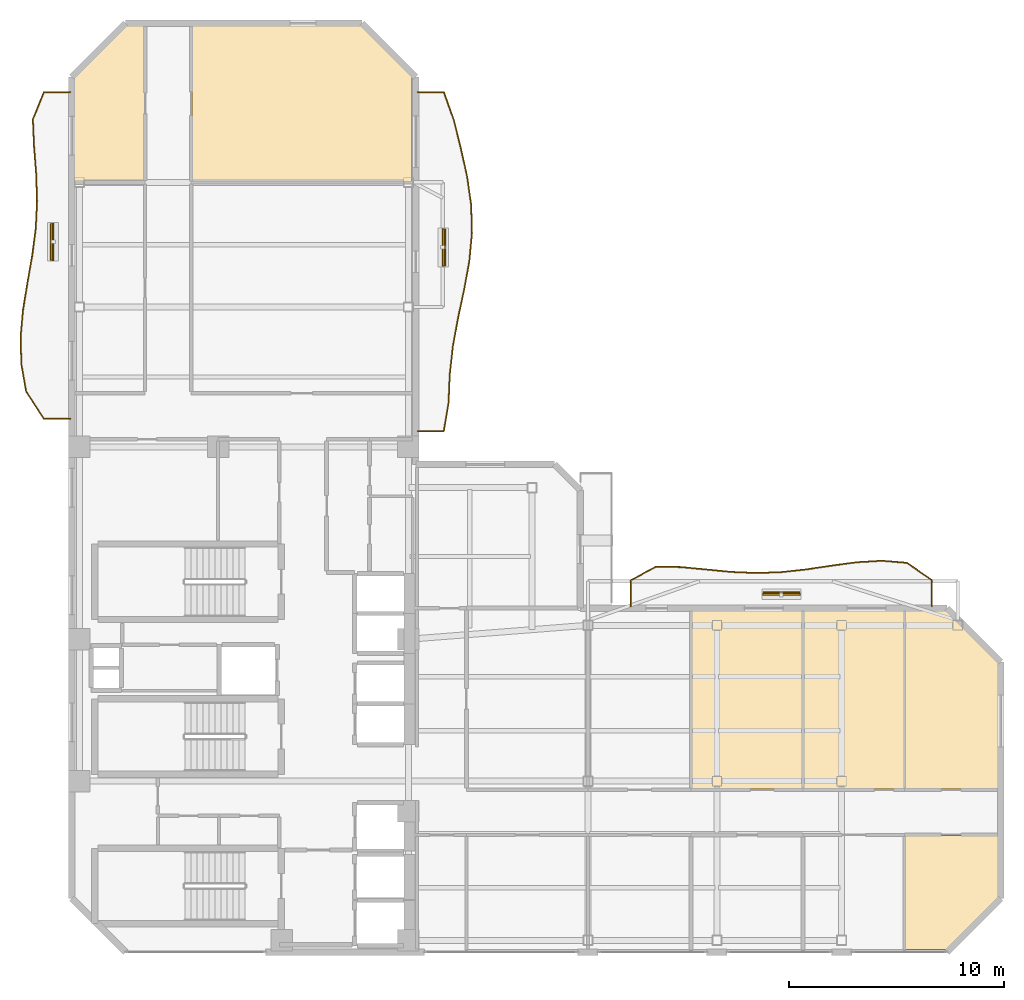
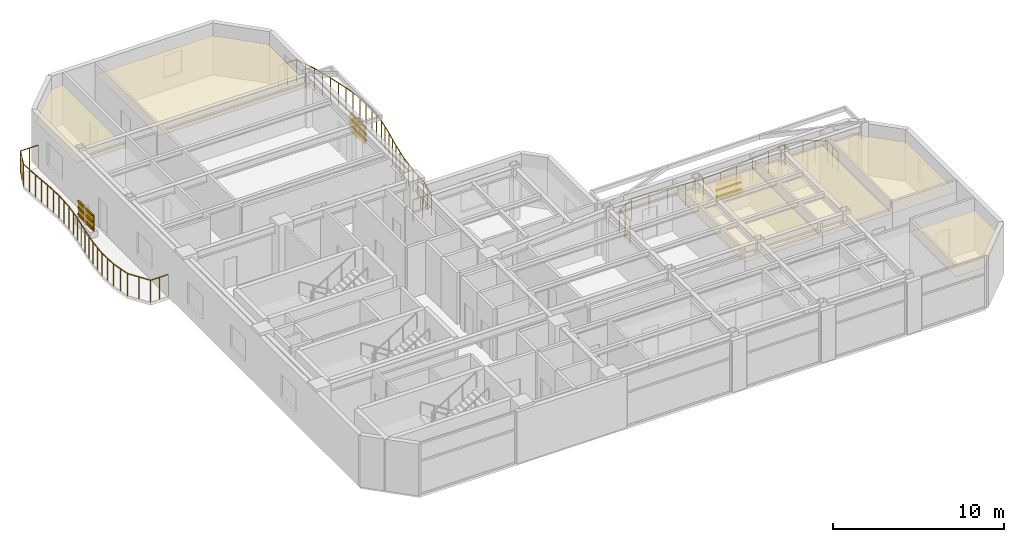
# One storey, part 15 of 15: 12 shading devices, 6 coverings, 3 railings.
"""IFC4 building model written with IfcOpenShell, lengths in metres."""

from ifc_helpers import new_model, si_unit, direction, frame, origin, origin_2d, place, context, subcontext, project, spatial, polyline, rectangle, outline, extrude, material, layer, layer_set, material_profile, profile_set, type_object, element, save


model = new_model("IFC4")

# Units and contexts
model_context = context("Model", 3, precision=1e-05, world=origin(), true_north=direction((0.0, 1.0)))
body_context = subcontext(model_context, "Body", "Model", "MODEL_VIEW")
ifc_project = project(units=[si_unit("LENGTHUNIT", "METRE"), si_unit("AREAUNIT", "SQUARE_METRE"), si_unit("VOLUMEUNIT", "CUBIC_METRE"), si_unit("PLANEANGLEUNIT", "RADIAN"), si_unit("MASSUNIT", "GRAM", prefix="KILO")], contexts=[model_context])

# Site, building, storey
site_placement = place(None, origin())
site = spatial("IfcSite", under=ifc_project, at=site_placement, CompositionType="ELEMENT")
building_placement = place(site_placement, origin())
building = spatial("IfcBuilding", under=site, at=building_placement, Name="Mawjaban Terraces University", CompositionType="ELEMENT")
storey_placement = place(building_placement, frame((0.0, 0.0, 207.0)))
storey = spatial("IfcBuildingStorey", under=building, at=storey_placement, Name="L50", CompositionType="ELEMENT", Elevation=207.0)

# Coverings
ifc_material_1 = material(Name="Acoustic mineral fibre ceiling tile", Category="masonry")
ifc_layer_1 = layer(ifc_material_1, 0.02001953125)
ifc_layer_set_1 = layer_set([ifc_layer_1], Name="Acoustic mineral fibre ceiling tile")
covering_type = type_object("IfcCoveringType", Name="AcousticMineralCeiling_20", PredefinedType="CEILING", material=ifc_layer_set_1)
covering_1_placement = place(storey_placement, frame((0.0, 0.0, 2.75)))
element("IfcCovering", 1, at=covering_1_placement, inside=storey, type_object=covering_type, Name="L50 Computational Laboratory 7 Acoustic Ceiling", PredefinedType="CEILING", context=body_context, shape_type="SweptSolid", body=[
    extrude(outline(polyline([(55.97607421875, 15.885009765625), (50.81689453125, 15.885009765625), (50.81689453125, 7.580078125), (55.97607421875, 7.580078125), (55.97607421875, 15.885009765625)])), origin(), (0.0, 0.0, 1.0), 0.02001953125),
])
covering_2_placement = place(storey_placement, frame((0.0, 0.0, 2.75)))
element("IfcCovering", 2, at=covering_2_placement, inside=storey, type_object=covering_type, Name="L50 Student Tea Pantry 9 Acoustic Ceiling", PredefinedType="CEILING", context=body_context, shape_type="SweptSolid", body=[
    extrude(outline(polyline([(60.697021484375, 15.885009765625), (56.035888671875, 15.885009765625), (56.035888671875, 7.580078125), (60.697021484375, 7.580078125), (60.697021484375, 15.885009765625)])), origin(), (0.0, 0.0, 1.0), 0.02001953125),
])
covering_3_placement = place(storey_placement, frame((0.0, 0.0, 2.75)))
element("IfcCovering", 3, at=covering_3_placement, inside=storey, type_object=covering_type, Name="L50 Student Tea Pantry 10 Acoustic Ceiling", PredefinedType="CEILING", context=body_context, shape_type="SweptSolid", body=[
    extrude(outline(polyline([(60.757080078125, 0.114990234375), (62.653076171875, 0.114990234375), (65.0849609375, 2.547119140625), (65.0849609375, 5.419921875), (60.757080078125, 5.419921875), (60.757080078125, 0.114990234375)])), origin(), (0.0, 0.0, 1.0), 0.02001953125),
])
covering_4_placement = place(storey_placement, frame((0.0, 0.0, 2.75)))
element("IfcCovering", 4, at=covering_4_placement, inside=storey, type_object=covering_type, Name="L50 Faculty Office 11 Acoustic Ceiling", PredefinedType="CEILING", context=body_context, shape_type="SweptSolid", body=[
    extrude(outline(polyline([(65.0849609375, 7.580078125), (65.0849609375, 13.452880859375), (62.653076171875, 15.885009765625), (60.757080078125, 15.885009765625), (60.757080078125, 7.580078125), (65.0849609375, 7.580078125)])), origin(), (0.0, 0.0, 1.0), 0.02001953125),
])
covering_5_placement = place(storey_placement, frame((0.0, 0.0, 2.75)))
element("IfcCovering", 5, at=covering_5_placement, inside=storey, type_object=covering_type, Name="L50 Design Studio 14 Acoustic Ceiling", PredefinedType="CEILING", context=body_context, shape_type="SweptSolid", body=[
    extrude(outline(polyline([(25.3701171875, 43.0849609375), (24.547119140625, 43.0849609375), (22.114990234375, 40.653076171875), (22.114990234375, 35.830078125), (25.3701171875, 35.830078125), (25.3701171875, 43.0849609375)])), origin(), (0.0, 0.0, 1.0), 0.02001953125),
])
covering_6_placement = place(storey_placement, frame((0.0, 0.0, 2.75)))
element("IfcCovering", 6, at=covering_6_placement, inside=storey, type_object=covering_type, Name="L50 Computational Laboratory 15 Acoustic Ceiling", PredefinedType="CEILING", context=body_context, shape_type="SweptSolid", body=[
    extrude(outline(polyline([(37.820068359375, 40.718017578125), (35.452880859375, 43.0849609375), (27.580078125, 43.0849609375), (27.580078125, 35.830078125), (37.820068359375, 35.830078125), (37.820068359375, 40.718017578125)])), origin(), (0.0, 0.0, 1.0), 0.02001953125),
])

# Railings
ifc_material_2 = material(Name="Galvanised powder-coated steel S355", Category="steel")
railing_type = type_object("IfcRailingType", Name="BalconyBalustrade_1600", PredefinedType="BALUSTRADE", material=ifc_material_2)
railing_1_placement = place(storey_placement, frame((21.919921875, 24.800048828125, 0.0)))
element("IfcRailing", 7, at=railing_1_placement, inside=storey, type_object=railing_type, Name="L50 Balcony Guardrail west", PredefinedType="BALUSTRADE", context=body_context, shape_type="SweptSolid", body=[
    extrude(rectangle(XDim=0.048095703125, YDim=0.048095703125, at=origin_2d()), frame((0.0, 0.0, 1.576171875), z_axis=(-1.0, 0.0, 0.0), x_axis=(0.0, -1.0, 0.0)), (0.0, 0.0, 1.0), 1.219970703125),
    extrude(rectangle(XDim=0.048095703125, YDim=0.048095703125, at=origin_2d()), frame((-1.219970703125, 0.0, 1.576171875), z_axis=(-0.5470450604, 0.837103160842, 0.0), x_axis=(-0.837103160842, -0.5470450604, 0.0)), (0.0, 0.0, 1.0), 1.513427734375),
    extrude(rectangle(XDim=0.048095703125, YDim=0.048095703125, at=origin_2d()), frame((-2.0478515625, 1.266845703125, 1.576171875), z_axis=(-0.173568665192, 0.984821769897, 0.0), x_axis=(-0.984821769897, -0.173568665192, 0.0)), (0.0, 0.0, 1.0), 1.28564453125),
    extrude(rectangle(XDim=0.048095703125, YDim=0.048095703125, at=origin_2d()), frame((-2.27099609375, 2.532958984375, 1.576171875), z_axis=(-0.029082106154, 0.999577026097, 0.0), x_axis=(-0.999577026097, -0.029082106154, 0.0)), (0.0, 0.0, 1.0), 1.267578125),
    extrude(rectangle(XDim=0.048095703125, YDim=0.048095703125, at=origin_2d()), frame((-2.307861328125, 3.800048828125, 1.576171875), z_axis=(0.088874127313, 0.99604286529, 0.0), x_axis=(-0.99604286529, 0.088874127313, 0.0)), (0.0, 0.0, 1.0), 1.27197265625),
    extrude(rectangle(XDim=0.048095703125, YDim=0.048095703125, at=origin_2d()), frame((-2.19482421875, 5.06689453125, 1.576171875), z_axis=(0.161188642831, 0.986923614786, 0.0), x_axis=(-0.986923614786, 0.161188642831, 0.0)), (0.0, 0.0, 1.0), 1.282958984375),
    extrude(rectangle(XDim=0.048095703125, YDim=0.048095703125, at=origin_2d()), frame((-1.988037109375, 6.3330078125, 1.576171875), z_axis=(0.172734863386, 0.98496835836, 0.0), x_axis=(-0.98496835836, 0.172734863386, 0.0)), (0.0, 0.0, 1.0), 1.2861328125),
    extrude(rectangle(XDim=0.048095703125, YDim=0.048095703125, at=origin_2d()), frame((-1.765869140625, 7.599853515625, 1.576171875), z_axis=(0.128407863151, 0.991721443088, 0.0), x_axis=(-0.991721443088, 0.128407863151, 0.0)), (0.0, 0.0, 1.0), 1.277587890625),
    extrude(rectangle(XDim=0.048095703125, YDim=0.048095703125, at=origin_2d()), frame((-1.601806640625, 8.866943359375, 1.576171875), z_axis=(0.047189944818, 0.998885933982, 0.0), x_axis=(-0.998885933982, 0.047189944818, 0.0)), (0.0, 0.0, 1.0), 1.267578125),
    extrude(rectangle(XDim=0.048095703125, YDim=0.048095703125, at=origin_2d()), frame((-1.5419921875, 10.133056640625, 1.576171875), z_axis=(-0.033898410087, 0.999425283747, 0.0), x_axis=(-0.999425283747, -0.033898410087, 0.0)), (0.0, 0.0, 1.0), 1.267578125),
    extrude(rectangle(XDim=0.048095703125, YDim=0.048095703125, at=origin_2d()), frame((-1.5849609375, 11.39990234375, 1.576171875), z_axis=(-0.077034374457, 0.997028437484, 0.0), x_axis=(-0.997028437484, -0.077034374457, 0.0)), (0.0, 0.0, 1.0), 1.270751953125),
    extrude(rectangle(XDim=0.048095703125, YDim=0.048095703125, at=origin_2d()), frame((-1.682861328125, 12.6669921875, 1.576171875), z_axis=(-0.042584286596, 0.999092877832, 0.0), x_axis=(-0.999092877832, -0.042584286596, 0.0)), (0.0, 0.0, 1.0), 1.26708984375),
    extrude(rectangle(XDim=0.048095703125, YDim=0.048095703125, at=origin_2d()), frame((-1.73681640625, 13.932861328125, 1.576171875), z_axis=(0.377687880117, 0.925932970151, 0.0), x_axis=(-0.925932970151, 0.377687880117, 0.0)), (0.0, 0.0, 1.0), 1.368408203125),
    extrude(rectangle(XDim=0.048095703125, YDim=0.048095703125, at=origin_2d()), frame((-1.219970703125, 15.199951171875, 1.576171875), z_axis=(1.0, 0.0, 0.0), x_axis=(0.0, 1.0, 0.0)), (0.0, 0.0, 1.0), 1.219970703125),
    extrude(rectangle(XDim=0.0419921875, YDim=0.0419921875, at=origin_2d()), origin(), (0.0, 0.0, 1.0), 1.552001953125),
    extrude(rectangle(XDim=0.0419921875, YDim=0.0419921875, at=origin_2d()), frame((-0.60986328125, 0.0, 0.0)), (0.0, 0.0, 1.0), 1.552001953125),
    extrude(rectangle(XDim=0.0419921875, YDim=0.0419921875, at=origin_2d()), frame((-1.219970703125, 0.0, 0.0)), (0.0, 0.0, 1.0), 1.552001953125),
    extrude(rectangle(XDim=0.0419921875, YDim=0.0419921875, at=origin_2d()), frame((-1.6337890625, 0.63330078125, 0.0)), (0.0, 0.0, 1.0), 1.552001953125),
    extrude(rectangle(XDim=0.0419921875, YDim=0.0419921875, at=origin_2d()), frame((-2.0478515625, 1.266845703125, 0.0)), (0.0, 0.0, 1.0), 1.552001953125),
    extrude(rectangle(XDim=0.0419921875, YDim=0.0419921875, at=origin_2d()), frame((-2.159423828125, 1.89990234375, 0.0)), (0.0, 0.0, 1.0), 1.552001953125),
    extrude(rectangle(XDim=0.0419921875, YDim=0.0419921875, at=origin_2d()), frame((-2.27099609375, 2.532958984375, 0.0)), (0.0, 0.0, 1.0), 1.552001953125),
    extrude(rectangle(XDim=0.0419921875, YDim=0.0419921875, at=origin_2d()), frame((-2.28955078125, 3.16650390625, 0.0)), (0.0, 0.0, 1.0), 1.552001953125),
    extrude(rectangle(XDim=0.0419921875, YDim=0.0419921875, at=origin_2d()), frame((-2.307861328125, 3.800048828125, 0.0)), (0.0, 0.0, 1.0), 1.552001953125),
    extrude(rectangle(XDim=0.0419921875, YDim=0.0419921875, at=origin_2d()), frame((-2.25146484375, 4.43359375, 0.0)), (0.0, 0.0, 1.0), 1.552001953125),
    extrude(rectangle(XDim=0.0419921875, YDim=0.0419921875, at=origin_2d()), frame((-2.19482421875, 5.06689453125, 0.0)), (0.0, 0.0, 1.0), 1.552001953125),
    extrude(rectangle(XDim=0.0419921875, YDim=0.0419921875, at=origin_2d()), frame((-2.09130859375, 5.699951171875, 0.0)), (0.0, 0.0, 1.0), 1.552001953125),
    extrude(rectangle(XDim=0.0419921875, YDim=0.0419921875, at=origin_2d()), frame((-1.988037109375, 6.3330078125, 0.0)), (0.0, 0.0, 1.0), 1.552001953125),
    extrude(rectangle(XDim=0.0419921875, YDim=0.0419921875, at=origin_2d()), frame((-1.876953125, 6.96630859375, 0.0)), (0.0, 0.0, 1.0), 1.552001953125),
    extrude(rectangle(XDim=0.0419921875, YDim=0.0419921875, at=origin_2d()), frame((-1.765869140625, 7.599853515625, 0.0)), (0.0, 0.0, 1.0), 1.552001953125),
    extrude(rectangle(XDim=0.0419921875, YDim=0.0419921875, at=origin_2d()), frame((-1.683837890625, 8.2333984375, 0.0)), (0.0, 0.0, 1.0), 1.552001953125),
    extrude(rectangle(XDim=0.0419921875, YDim=0.0419921875, at=origin_2d()), frame((-1.601806640625, 8.866943359375, 0.0)), (0.0, 0.0, 1.0), 1.552001953125),
    extrude(rectangle(XDim=0.0419921875, YDim=0.0419921875, at=origin_2d()), frame((-1.57177734375, 9.5, 0.0)), (0.0, 0.0, 1.0), 1.552001953125),
    extrude(rectangle(XDim=0.0419921875, YDim=0.0419921875, at=origin_2d()), frame((-1.5419921875, 10.133056640625, 0.0)), (0.0, 0.0, 1.0), 1.552001953125),
    extrude(rectangle(XDim=0.0419921875, YDim=0.0419921875, at=origin_2d()), frame((-1.5634765625, 10.7666015625, 0.0)), (0.0, 0.0, 1.0), 1.552001953125),
    extrude(rectangle(XDim=0.0419921875, YDim=0.0419921875, at=origin_2d()), frame((-1.5849609375, 11.39990234375, 0.0)), (0.0, 0.0, 1.0), 1.552001953125),
    extrude(rectangle(XDim=0.0419921875, YDim=0.0419921875, at=origin_2d()), frame((-1.6337890625, 12.033447265625, 0.0)), (0.0, 0.0, 1.0), 1.552001953125),
    extrude(rectangle(XDim=0.0419921875, YDim=0.0419921875, at=origin_2d()), frame((-1.682861328125, 12.6669921875, 0.0)), (0.0, 0.0, 1.0), 1.552001953125),
    extrude(rectangle(XDim=0.0419921875, YDim=0.0419921875, at=origin_2d()), frame((-1.7099609375, 13.2998046875, 0.0)), (0.0, 0.0, 1.0), 1.552001953125),
    extrude(rectangle(XDim=0.0419921875, YDim=0.0419921875, at=origin_2d()), frame((-1.73681640625, 13.932861328125, 0.0)), (0.0, 0.0, 1.0), 1.552001953125),
    extrude(rectangle(XDim=0.0419921875, YDim=0.0419921875, at=origin_2d()), frame((-1.478515625, 14.56640625, 0.0)), (0.0, 0.0, 1.0), 1.552001953125),
    extrude(rectangle(XDim=0.0419921875, YDim=0.0419921875, at=origin_2d()), frame((-1.219970703125, 15.199951171875, 0.0)), (0.0, 0.0, 1.0), 1.552001953125),
    extrude(rectangle(XDim=0.0419921875, YDim=0.0419921875, at=origin_2d()), frame((-0.60986328125, 15.199951171875, 0.0)), (0.0, 0.0, 1.0), 1.552001953125),
    extrude(rectangle(XDim=0.0419921875, YDim=0.0419921875, at=origin_2d()), frame((0.0, 15.199951171875, 0.0)), (0.0, 0.0, 1.0), 1.552001953125),
])
railing_2_placement = place(storey_placement, frame((48.0, 16.080078125, 0.0)))
element("IfcRailing", 8, at=railing_2_placement, inside=storey, type_object=railing_type, Name="L50 Balcony Guardrail inner_north", PredefinedType="BALUSTRADE", context=body_context, shape_type="SweptSolid", body=[
    extrude(rectangle(XDim=0.048095703125, YDim=0.048095703125, at=origin_2d()), frame((0.0, 0.0, 1.576171875), z_axis=(0.0, 1.0, 0.0), x_axis=(-1.0, 0.0, 0.0)), (0.0, 0.0, 1.0), 1.219970703125),
    extrude(rectangle(XDim=0.048095703125, YDim=0.048095703125, at=origin_2d()), frame((0.0, 1.219970703125, 1.576171875), z_axis=(0.880920446262, 0.47326437364, 0.0), x_axis=(-0.47326437364, 0.880920446262, 0.0)), (0.0, 0.0, 1.0), 1.32470703125),
    extrude(rectangle(XDim=0.048095703125, YDim=0.048095703125, at=origin_2d()), frame((1.1669921875, 1.846923828125, 1.576171875), z_axis=(0.999892609099, -0.014655042428, 0.0), x_axis=(0.014655042428, 0.999892609099, 0.0)), (0.0, 0.0, 1.0), 1.166259765625),
    extrude(rectangle(XDim=0.048095703125, YDim=0.048095703125, at=origin_2d()), frame((2.3330078125, 1.829833984375, 1.576171875), z_axis=(0.995441023687, -0.095379077165, 0.0), x_axis=(0.095379077165, 0.995441023687, 0.0)), (0.0, 0.0, 1.0), 1.17236328125),
    extrude(rectangle(XDim=0.048095703125, YDim=0.048095703125, at=origin_2d()), frame((3.5, 1.718017578125, 1.576171875), z_axis=(0.995341637643, -0.096410706742, 0.0), x_axis=(0.096410706742, 0.995341637643, 0.0)), (0.0, 0.0, 1.0), 1.17236328125),
    extrude(rectangle(XDim=0.048095703125, YDim=0.048095703125, at=origin_2d()), frame((4.6669921875, 1.60498046875, 1.576171875), z_axis=(0.999080081199, -0.042883462447, 0.0), x_axis=(0.042883462447, 0.999080081199, 0.0)), (0.0, 0.0, 1.0), 1.1669921875),
    extrude(rectangle(XDim=0.048095703125, YDim=0.048095703125, at=origin_2d()), frame((5.8330078125, 1.554931640625, 1.576171875), z_axis=(0.999382935378, 0.035124755888, 0.0), x_axis=(-0.035124755888, 0.999382935378, 0.0)), (0.0, 0.0, 1.0), 1.167724609375),
    extrude(rectangle(XDim=0.048095703125, YDim=0.048095703125, at=origin_2d()), frame((7.0, 1.595947265625, 1.576171875), z_axis=(0.994044970777, 0.108970620227, 0.0), x_axis=(-0.108970620227, 0.994044970777, 0.0)), (0.0, 0.0, 1.0), 1.174072265625),
    extrude(rectangle(XDim=0.048095703125, YDim=0.048095703125, at=origin_2d()), frame((8.1669921875, 1.723876953125, 1.576171875), z_axis=(0.989039402624, 0.147651820367, 0.0), x_axis=(-0.147651820367, 0.989039402624, 0.0)), (0.0, 0.0, 1.0), 1.178955078125),
    extrude(rectangle(XDim=0.048095703125, YDim=0.048095703125, at=origin_2d()), frame((9.3330078125, 1.89794921875, 1.576171875), z_axis=(0.9910733098, 0.133318020544, 0.0), x_axis=(-0.133318020544, 0.9910733098, 0.0)), (0.0, 0.0, 1.0), 1.177490234375),
    extrude(rectangle(XDim=0.048095703125, YDim=0.048095703125, at=origin_2d()), frame((10.5, 2.054931640625, 1.576171875), z_axis=(0.998251976832, 0.059101529172, 0.0), x_axis=(-0.059101529172, 0.998251976832, 0.0)), (0.0, 0.0, 1.0), 1.1689453125),
    extrude(rectangle(XDim=0.048095703125, YDim=0.048095703125, at=origin_2d()), frame((11.6669921875, 2.1240234375, 1.576171875), z_axis=(0.996682543321, -0.081387393613, 0.0), x_axis=(0.081387393613, 0.996682543321, 0.0)), (0.0, 0.0, 1.0), 1.169921875),
    extrude(rectangle(XDim=0.048095703125, YDim=0.048095703125, at=origin_2d()), frame((12.8330078125, 2.02880859375, 1.576171875), z_axis=(0.821888767013, -0.569648009438, 0.0), x_axis=(0.569648009438, 0.821888767013, 0.0)), (0.0, 0.0, 1.0), 1.419921875),
    extrude(rectangle(XDim=0.048095703125, YDim=0.048095703125, at=origin_2d()), frame((14.0, 1.219970703125, 1.576171875), z_axis=(0.0, -1.0, 0.0), x_axis=(1.0, 0.0, 0.0)), (0.0, 0.0, 1.0), 1.219970703125),
    extrude(rectangle(XDim=0.0419921875, YDim=0.0419921875, at=origin_2d()), origin(), (0.0, 0.0, 1.0), 1.552001953125),
    extrude(rectangle(XDim=0.0419921875, YDim=0.0419921875, at=origin_2d()), frame((0.0, 0.60986328125, 0.0)), (0.0, 0.0, 1.0), 1.552001953125),
    extrude(rectangle(XDim=0.0419921875, YDim=0.0419921875, at=origin_2d()), frame((0.0, 1.219970703125, 0.0)), (0.0, 0.0, 1.0), 1.552001953125),
    extrude(rectangle(XDim=0.0419921875, YDim=0.0419921875, at=origin_2d()), frame((0.58349609375, 1.533447265625, 0.0)), (0.0, 0.0, 1.0), 1.552001953125),
    extrude(rectangle(XDim=0.0419921875, YDim=0.0419921875, at=origin_2d()), frame((1.1669921875, 1.846923828125, 0.0)), (0.0, 0.0, 1.0), 1.552001953125),
    extrude(rectangle(XDim=0.0419921875, YDim=0.0419921875, at=origin_2d()), frame((2.3330078125, 1.829833984375, 0.0)), (0.0, 0.0, 1.0), 1.552001953125),
    extrude(rectangle(XDim=0.0419921875, YDim=0.0419921875, at=origin_2d()), frame((3.5, 1.718017578125, 0.0)), (0.0, 0.0, 1.0), 1.552001953125),
    extrude(rectangle(XDim=0.0419921875, YDim=0.0419921875, at=origin_2d()), frame((4.6669921875, 1.60498046875, 0.0)), (0.0, 0.0, 1.0), 1.552001953125),
    extrude(rectangle(XDim=0.0419921875, YDim=0.0419921875, at=origin_2d()), frame((5.8330078125, 1.554931640625, 0.0)), (0.0, 0.0, 1.0), 1.552001953125),
    extrude(rectangle(XDim=0.0419921875, YDim=0.0419921875, at=origin_2d()), frame((7.0, 1.595947265625, 0.0)), (0.0, 0.0, 1.0), 1.552001953125),
    extrude(rectangle(XDim=0.0419921875, YDim=0.0419921875, at=origin_2d()), frame((8.1669921875, 1.723876953125, 0.0)), (0.0, 0.0, 1.0), 1.552001953125),
    extrude(rectangle(XDim=0.0419921875, YDim=0.0419921875, at=origin_2d()), frame((9.3330078125, 1.89794921875, 0.0)), (0.0, 0.0, 1.0), 1.552001953125),
    extrude(rectangle(XDim=0.0419921875, YDim=0.0419921875, at=origin_2d()), frame((10.5, 2.054931640625, 0.0)), (0.0, 0.0, 1.0), 1.552001953125),
    extrude(rectangle(XDim=0.0419921875, YDim=0.0419921875, at=origin_2d()), frame((11.6669921875, 2.1240234375, 0.0)), (0.0, 0.0, 1.0), 1.552001953125),
    extrude(rectangle(XDim=0.0419921875, YDim=0.0419921875, at=origin_2d()), frame((12.8330078125, 2.02880859375, 0.0)), (0.0, 0.0, 1.0), 1.552001953125),
    extrude(rectangle(XDim=0.0419921875, YDim=0.0419921875, at=origin_2d()), frame((13.41650390625, 1.62451171875, 0.0)), (0.0, 0.0, 1.0), 1.552001953125),
    extrude(rectangle(XDim=0.0419921875, YDim=0.0419921875, at=origin_2d()), frame((14.0, 1.219970703125, 0.0)), (0.0, 0.0, 1.0), 1.552001953125),
    extrude(rectangle(XDim=0.0419921875, YDim=0.0419921875, at=origin_2d()), frame((14.0, 0.60986328125, 0.0)), (0.0, 0.0, 1.0), 1.552001953125),
    extrude(rectangle(XDim=0.0419921875, YDim=0.0419921875, at=origin_2d()), frame((14.0, 0.0, 0.0)), (0.0, 0.0, 1.0), 1.552001953125),
])
railing_3_placement = place(storey_placement, frame((38.080078125, 24.235107421875, 0.0)))
element("IfcRailing", 9, at=railing_3_placement, inside=storey, type_object=railing_type, Name="L50 Balcony Guardrail inner_east", PredefinedType="BALUSTRADE", context=body_context, shape_type="SweptSolid", body=[
    extrude(rectangle(XDim=0.048095703125, YDim=0.048095703125, at=origin_2d()), frame((0.0, 0.0, 1.576171875), z_axis=(1.0, 0.0, 0.0), x_axis=(0.0, 1.0, 0.0)), (0.0, 0.0, 1.0), 1.219970703125),
    extrude(rectangle(XDim=0.048095703125, YDim=0.048095703125, at=origin_2d()), frame((1.219970703125, 0.0, 1.576171875), z_axis=(0.166537698818, 0.986035088053, 0.0), x_axis=(-0.986035088053, 0.166537698818, 0.0)), (0.0, 0.0, 1.0), 1.33251953125),
    extrude(rectangle(XDim=0.048095703125, YDim=0.048095703125, at=origin_2d()), frame((1.44189453125, 1.31396484375, 1.576171875), z_axis=(0.041769534789, 0.999127272155, 0.0), x_axis=(-0.999127272155, 0.041769534789, 0.0)), (0.0, 0.0, 1.0), 1.315185546875),
    extrude(rectangle(XDim=0.048095703125, YDim=0.048095703125, at=origin_2d()), frame((1.496826171875, 2.6279296875, 1.576171875), z_axis=(0.110512659073, 0.993874716544, 0.0), x_axis=(-0.993874716544, 0.110512659073, 0.0)), (0.0, 0.0, 1.0), 1.321044921875),
    extrude(rectangle(XDim=0.048095703125, YDim=0.048095703125, at=origin_2d()), frame((1.642822265625, 3.94091796875, 1.576171875), z_axis=(0.179673531636, 0.983726294266, 0.0), x_axis=(-0.983726294266, 0.179673531636, 0.0)), (0.0, 0.0, 1.0), 1.335693359375),
    extrude(rectangle(XDim=0.048095703125, YDim=0.048095703125, at=origin_2d()), frame((1.8828125, 5.2548828125, 1.576171875), z_axis=(0.209131999404, 0.977887420323, 0.0), x_axis=(-0.977887420323, 0.209131999404, 0.0)), (0.0, 0.0, 1.0), 1.34375),
    extrude(rectangle(XDim=0.048095703125, YDim=0.048095703125, at=origin_2d()), frame((2.163818359375, 6.56884765625, 1.576171875), z_axis=(0.180687625075, 0.983540534063, 0.0), x_axis=(-0.983540534063, 0.180687625075, 0.0)), (0.0, 0.0, 1.0), 1.3349609375),
    extrude(rectangle(XDim=0.048095703125, YDim=0.048095703125, at=origin_2d()), frame((2.405029296875, 7.8818359375, 1.576171875), z_axis=(0.093787673081, 0.995592221935, 0.0), x_axis=(-0.995592221935, 0.093787673081, 0.0)), (0.0, 0.0, 1.0), 1.31982421875),
    extrude(rectangle(XDim=0.048095703125, YDim=0.048095703125, at=origin_2d()), frame((2.52880859375, 9.19580078125, 1.576171875), z_axis=(-0.02655574378, 0.99964733405, 0.0), x_axis=(-0.99964733405, -0.02655574378, 0.0)), (0.0, 0.0, 1.0), 1.314697265625),
    extrude(rectangle(XDim=0.048095703125, YDim=0.048095703125, at=origin_2d()), frame((2.493896484375, 10.510009765625, 1.576171875), z_axis=(-0.141627356603, 0.989920043166, 0.0), x_axis=(-0.989920043166, -0.141627356603, 0.0)), (0.0, 0.0, 1.0), 1.327392578125),
    extrude(rectangle(XDim=0.048095703125, YDim=0.048095703125, at=origin_2d()), frame((2.305908203125, 11.823974609375, 1.576171875), z_axis=(-0.216930457819, 0.976187060184, 0.0), x_axis=(-0.976187060184, -0.216930457819, 0.0)), (0.0, 0.0, 1.0), 1.345947265625),
    extrude(rectangle(XDim=0.048095703125, YDim=0.048095703125, at=origin_2d()), frame((2.013916015625, 13.137939453125, 1.576171875), z_axis=(-0.239561078283, 0.970881295407, 0.0), x_axis=(-0.970881295407, -0.239561078283, 0.0)), (0.0, 0.0, 1.0), 1.352294921875),
    extrude(rectangle(XDim=0.048095703125, YDim=0.048095703125, at=origin_2d()), frame((1.68994140625, 14.450927734375, 1.576171875), z_axis=(-0.336779673165, 0.941583481027, 0.0), x_axis=(-0.941583481027, -0.336779673165, 0.0)), (0.0, 0.0, 1.0), 1.3955078125),
    extrude(rectangle(XDim=0.048095703125, YDim=0.048095703125, at=origin_2d()), frame((1.219970703125, 15.764892578125, 1.576171875), z_axis=(-1.0, 0.0, 0.0), x_axis=(0.0, -1.0, 0.0)), (0.0, 0.0, 1.0), 1.219970703125),
    extrude(rectangle(XDim=0.0419921875, YDim=0.0419921875, at=origin_2d()), origin(), (0.0, 0.0, 1.0), 1.552001953125),
    extrude(rectangle(XDim=0.0419921875, YDim=0.0419921875, at=origin_2d()), frame((0.60986328125, 0.0, 0.0)), (0.0, 0.0, 1.0), 1.552001953125),
    extrude(rectangle(XDim=0.0419921875, YDim=0.0419921875, at=origin_2d()), frame((1.219970703125, 0.0, 0.0)), (0.0, 0.0, 1.0), 1.552001953125),
    extrude(rectangle(XDim=0.0419921875, YDim=0.0419921875, at=origin_2d()), frame((1.3310546875, 0.656982421875, 0.0)), (0.0, 0.0, 1.0), 1.552001953125),
    extrude(rectangle(XDim=0.0419921875, YDim=0.0419921875, at=origin_2d()), frame((1.44189453125, 1.31396484375, 0.0)), (0.0, 0.0, 1.0), 1.552001953125),
    extrude(rectangle(XDim=0.0419921875, YDim=0.0419921875, at=origin_2d()), frame((1.46923828125, 1.970947265625, 0.0)), (0.0, 0.0, 1.0), 1.552001953125),
    extrude(rectangle(XDim=0.0419921875, YDim=0.0419921875, at=origin_2d()), frame((1.496826171875, 2.6279296875, 0.0)), (0.0, 0.0, 1.0), 1.552001953125),
    extrude(rectangle(XDim=0.0419921875, YDim=0.0419921875, at=origin_2d()), frame((1.56982421875, 3.284423828125, 0.0)), (0.0, 0.0, 1.0), 1.552001953125),
    extrude(rectangle(XDim=0.0419921875, YDim=0.0419921875, at=origin_2d()), frame((1.642822265625, 3.94091796875, 0.0)), (0.0, 0.0, 1.0), 1.552001953125),
    extrude(rectangle(XDim=0.0419921875, YDim=0.0419921875, at=origin_2d()), frame((1.7626953125, 4.597900390625, 0.0)), (0.0, 0.0, 1.0), 1.552001953125),
    extrude(rectangle(XDim=0.0419921875, YDim=0.0419921875, at=origin_2d()), frame((1.8828125, 5.2548828125, 0.0)), (0.0, 0.0, 1.0), 1.552001953125),
    extrude(rectangle(XDim=0.0419921875, YDim=0.0419921875, at=origin_2d()), frame((2.0234375, 5.911865234375, 0.0)), (0.0, 0.0, 1.0), 1.552001953125),
    extrude(rectangle(XDim=0.0419921875, YDim=0.0419921875, at=origin_2d()), frame((2.163818359375, 6.56884765625, 0.0)), (0.0, 0.0, 1.0), 1.552001953125),
    extrude(rectangle(XDim=0.0419921875, YDim=0.0419921875, at=origin_2d()), frame((2.284423828125, 7.225341796875, 0.0)), (0.0, 0.0, 1.0), 1.552001953125),
    extrude(rectangle(XDim=0.0419921875, YDim=0.0419921875, at=origin_2d()), frame((2.405029296875, 7.8818359375, 0.0)), (0.0, 0.0, 1.0), 1.552001953125),
    extrude(rectangle(XDim=0.0419921875, YDim=0.0419921875, at=origin_2d()), frame((2.466796875, 8.538818359375, 0.0)), (0.0, 0.0, 1.0), 1.552001953125),
    extrude(rectangle(XDim=0.0419921875, YDim=0.0419921875, at=origin_2d()), frame((2.52880859375, 9.19580078125, 0.0)), (0.0, 0.0, 1.0), 1.552001953125),
    extrude(rectangle(XDim=0.0419921875, YDim=0.0419921875, at=origin_2d()), frame((2.51123046875, 9.85302734375, 0.0)), (0.0, 0.0, 1.0), 1.552001953125),
    extrude(rectangle(XDim=0.0419921875, YDim=0.0419921875, at=origin_2d()), frame((2.493896484375, 10.510009765625, 0.0)), (0.0, 0.0, 1.0), 1.552001953125),
    extrude(rectangle(XDim=0.0419921875, YDim=0.0419921875, at=origin_2d()), frame((2.39990234375, 11.1669921875, 0.0)), (0.0, 0.0, 1.0), 1.552001953125),
    extrude(rectangle(XDim=0.0419921875, YDim=0.0419921875, at=origin_2d()), frame((2.305908203125, 11.823974609375, 0.0)), (0.0, 0.0, 1.0), 1.552001953125),
    extrude(rectangle(XDim=0.0419921875, YDim=0.0419921875, at=origin_2d()), frame((2.159912109375, 12.48095703125, 0.0)), (0.0, 0.0, 1.0), 1.552001953125),
    extrude(rectangle(XDim=0.0419921875, YDim=0.0419921875, at=origin_2d()), frame((2.013916015625, 13.137939453125, 0.0)), (0.0, 0.0, 1.0), 1.552001953125),
    extrude(rectangle(XDim=0.0419921875, YDim=0.0419921875, at=origin_2d()), frame((1.85205078125, 13.79443359375, 0.0)), (0.0, 0.0, 1.0), 1.552001953125),
    extrude(rectangle(XDim=0.0419921875, YDim=0.0419921875, at=origin_2d()), frame((1.68994140625, 14.450927734375, 0.0)), (0.0, 0.0, 1.0), 1.552001953125),
    extrude(rectangle(XDim=0.0419921875, YDim=0.0419921875, at=origin_2d()), frame((1.455078125, 15.10791015625, 0.0)), (0.0, 0.0, 1.0), 1.552001953125),
    extrude(rectangle(XDim=0.0419921875, YDim=0.0419921875, at=origin_2d()), frame((1.219970703125, 15.764892578125, 0.0)), (0.0, 0.0, 1.0), 1.552001953125),
    extrude(rectangle(XDim=0.0419921875, YDim=0.0419921875, at=origin_2d()), frame((0.60986328125, 15.764892578125, 0.0)), (0.0, 0.0, 1.0), 1.552001953125),
    extrude(rectangle(XDim=0.0419921875, YDim=0.0419921875, at=origin_2d()), frame((0.0, 15.764892578125, 0.0)), (0.0, 0.0, 1.0), 1.552001953125),
])

# Shading devices
ifc_material_3 = material(Name="Glazed architectural terracotta ceramic", Category="masonry")
ifc_material_profile = material_profile(ifc_material_3, rectangle(XDim=0.06494140625, YDim=0.110107421875, at=origin_2d()), Name="TBAG110X65")
ifc_profile_set = profile_set([ifc_material_profile], Name="Glazed architectural terracotta ceramic")
shading_device_type_1 = type_object("IfcShadingDeviceType", Name="TerracottaBaguette_110x65", PredefinedType="USERDEFINED", material=ifc_profile_set)
for number, where, z_axis, x_axis, name in (
    (10, (21.0380859375, 32.18408203125, 0.679931640625), (0.0, 1.0, 0.0), (-1.0, 0.0, 0.0), "L50 Horizontal Terracotta Baguette west.1"),
    (11, (21.0380859375, 32.18408203125, 1.14990234375), (0.0, 1.0, 0.0), (-1.0, 0.0, 0.0), "L50 Horizontal Terracotta Baguette west.2"),
    (12, (21.0380859375, 32.18408203125, 1.6201171875), (0.0, 1.0, 0.0), (-1.0, 0.0, 0.0), "L50 Horizontal Terracotta Baguette west.3"),
):
    element("IfcShadingDevice", number, at=place(storey_placement, frame(where, z_axis=z_axis, x_axis=x_axis)), inside=storey, type_object=shading_device_type_1, Name=name, ObjectType="BAGUETTE", PredefinedType="USERDEFINED", context=body_context, shape_type="SweptSolid", body=[
        extrude(rectangle(XDim=0.06494140625, YDim=0.110107421875, at=origin_2d()), origin(), (0.0, 0.0, 1.0), 1.699951171875),
    ])
for number, where, z_axis, x_axis, name in (
    (13, (54.14990234375, 16.72998046875, 0.679931640625), (1.0, 0.0, 0.0), (0.0, 1.0, 0.0), "L50 Horizontal Terracotta Baguette inner_north.1"),
    (14, (54.14990234375, 16.72998046875, 1.14990234375), (1.0, 0.0, 0.0), (0.0, 1.0, 0.0), "L50 Horizontal Terracotta Baguette inner_north.2"),
    (15, (54.14990234375, 16.72998046875, 1.6201171875), (1.0, 0.0, 0.0), (0.0, 1.0, 0.0), "L50 Horizontal Terracotta Baguette inner_north.3"),
):
    element("IfcShadingDevice", number, at=place(storey_placement, frame(where, z_axis=z_axis, x_axis=x_axis)), inside=storey, type_object=shading_device_type_1, Name=name, ObjectType="BAGUETTE", PredefinedType="USERDEFINED", context=body_context, shape_type="SweptSolid", body=[
        extrude(rectangle(XDim=0.06494140625, YDim=0.110107421875, at=origin_2d()), origin(), (0.0, 0.0, 1.0), 1.7001953125),
    ])
for number, where, z_axis, x_axis, name in (
    (16, (39.35400390625, 31.924072265625, 0.679931640625), (0.0, 1.0, 0.0), (-1.0, 0.0, 0.0), "L50 Horizontal Terracotta Baguette inner_east.1"),
    (17, (39.35400390625, 31.924072265625, 1.14990234375), (0.0, 1.0, 0.0), (-1.0, 0.0, 0.0), "L50 Horizontal Terracotta Baguette inner_east.2"),
    (18, (39.35400390625, 31.924072265625, 1.6201171875), (0.0, 1.0, 0.0), (-1.0, 0.0, 0.0), "L50 Horizontal Terracotta Baguette inner_east.3"),
):
    element("IfcShadingDevice", number, at=place(storey_placement, frame(where, z_axis=z_axis, x_axis=x_axis)), inside=storey, type_object=shading_device_type_1, Name=name, ObjectType="BAGUETTE", PredefinedType="USERDEFINED", context=body_context, shape_type="SweptSolid", body=[
        extrude(rectangle(XDim=0.06494140625, YDim=0.110107421875, at=origin_2d()), origin(), (0.0, 0.0, 1.0), 1.699951171875),
    ])
ifc_layer_2 = layer(ifc_material_3, 0.080078125)
ifc_layer_set_2 = layer_set([ifc_layer_2], Name="Glazed architectural terracotta ceramic")
shading_device_type_2 = type_object("IfcShadingDeviceType", Name="TerracottaScreen_Perforated", PredefinedType="USERDEFINED", material=ifc_layer_set_2)
for number, where, z_axis, x_axis, name in (
    (19, (21.123046875, 33.033935546875, 0.43994140625), (0.0, 0.0, 1.0), (0.0, 1.0, 0.0), "L50 Balcony Perforated Terracotta Screen west"),
    (20, (55.0, 16.64501953125, 0.43994140625), (0.0, 0.0, 1.0), (1.0, 0.0, 0.0), "L50 Balcony Perforated Terracotta Screen inner_north"),
    (21, (39.26904296875, 32.77392578125, 0.43994140625), (0.0, 0.0, 1.0), (0.0, 1.0, 0.0), "L50 Balcony Perforated Terracotta Screen inner_east"),
):
    element("IfcShadingDevice", number, at=place(storey_placement, frame(where, z_axis=z_axis, x_axis=x_axis)), inside=storey, type_object=shading_device_type_2, Name=name, ObjectType="SCREEN", PredefinedType="USERDEFINED", context=body_context, shape_type="SweptSolid", body=[
        extrude(rectangle(XDim=1.75, YDim=0.080078125, at=origin_2d()), origin(), (0.0, 0.0, 1.0), 1.14990234375),
    ])

save(model, "model.ifc")
